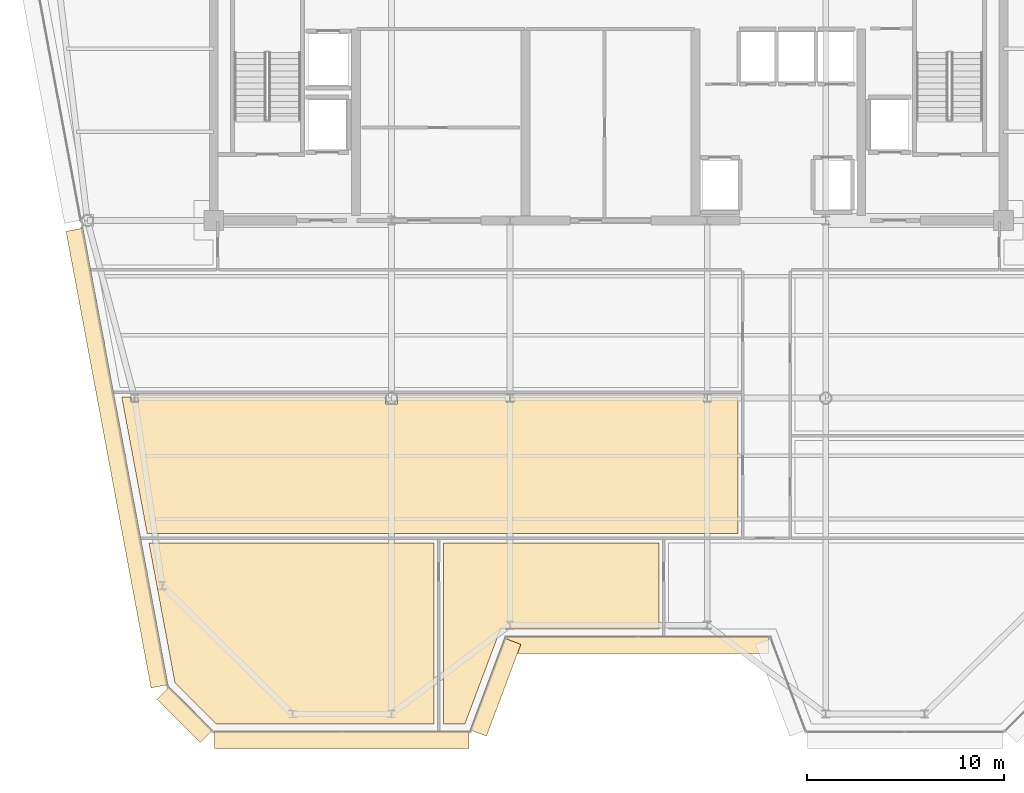
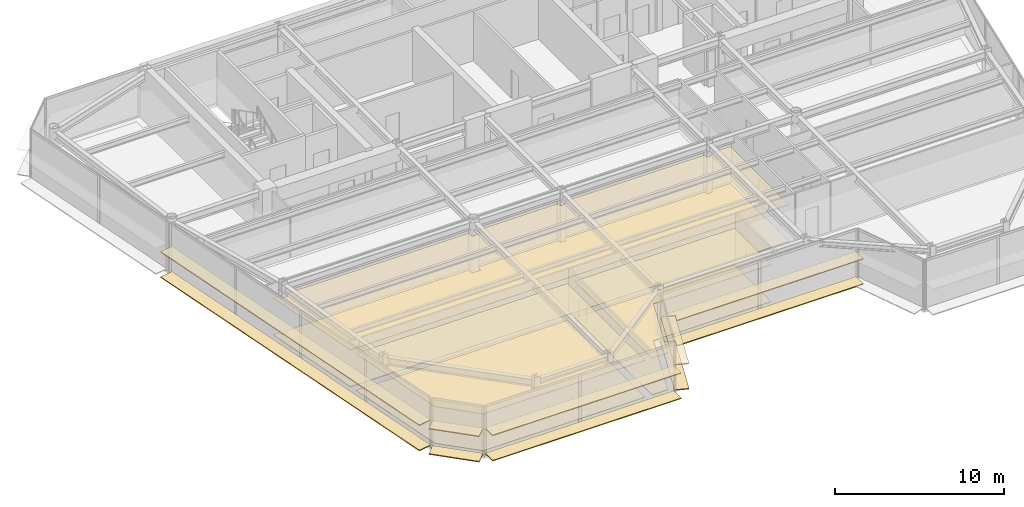
# One storey, part 12 of 18: 16 coverings.
"""IFC4 building model written with IfcOpenShell, lengths in metres."""

from ifc_helpers import new_model, si_unit, direction, frame, origin, origin_2d, place, context, subcontext, project, spatial, polyline, rectangle, outline, extrude, source, transform, mapped, material, layer, layer_set, type_object, element, save


model = new_model("IFC4")

# Units and contexts
model_context = context("Model", 3, precision=1e-05, world=origin(), true_north=direction((0.0, 1.0)))
body_context = subcontext(model_context, "Body", "Model", "MODEL_VIEW")
ifc_project = project(units=[si_unit("LENGTHUNIT", "METRE"), si_unit("AREAUNIT", "SQUARE_METRE"), si_unit("VOLUMEUNIT", "CUBIC_METRE"), si_unit("PLANEANGLEUNIT", "RADIAN"), si_unit("MASSUNIT", "GRAM", prefix="KILO")], contexts=[model_context])

# Site, building, storey
site_placement = place(None, origin())
site = spatial("IfcSite", under=ifc_project, at=site_placement, CompositionType="ELEMENT")
building_placement = place(site_placement, origin())
building = spatial("IfcBuilding", under=site, at=building_placement, Name="Vaeldorn Concourse Tower", CompositionType="ELEMENT")
storey_placement = place(building_placement, frame((0.0, 0.0, 253.60009765625)))
storey = spatial("IfcBuildingStorey", under=building, at=storey_placement, Name="L65", CompositionType="ELEMENT", Elevation=253.60009765625)

# Coverings
ifc_material_1 = material(Name="Acoustic Mineral Fibre Board", Category="gypsum")
ifc_layer_1 = layer(ifc_material_1, 0.0400390625)
ifc_layer_set_1 = layer_set([ifc_layer_1], Name="Acoustic Mineral Fibre Board")
covering_type_1 = type_object("IfcCoveringType", Name="COV-CEIL-ACOUSTIC", PredefinedType="CEILING", material=ifc_layer_set_1)
covering_1_placement = place(storey_placement, frame((0.0, 0.0, 2.64990234375)))
element("IfcCovering", 1, at=covering_1_placement, inside=storey, type_object=covering_type_1, Name="Suspended Acoustic Ceiling L65-5", PredefinedType="CEILING", context=body_context, shape_type="SweptSolid", body=[
    extrude(outline(polyline([(9.799560546875, 27.56005859375), (9.799560546875, 27.300537109375), (10.200439453125, 27.300537109375), (10.200439453125, 27.56005859375), (22.695068359375, 27.56005859375), (22.695068359375, 27.195068359375), (23.304931640625, 27.195068359375), (23.304931640625, 27.56005859375), (28.801025390625, 27.56005859375), (28.801025390625, 27.306396484375), (29.198974609375, 27.306396484375), (29.198974609375, 27.56005859375), (38.801025390625, 27.56005859375), (38.801025390625, 27.306396484375), (39.198974609375, 27.306396484375), (39.198974609375, 27.56005859375), (40.56005859375, 27.56005859375), (40.56005859375, 20.639892578125), (10.631591796875, 20.639892578125), (9.34326171875, 27.56005859375), (9.799560546875, 27.56005859375)])), origin(), (0.0, 0.0, 1.0), 0.0400390625),
])
covering_2_placement = place(storey_placement, frame((0.0, 0.0, 2.64990234375)))
element("IfcCovering", 2, at=covering_2_placement, inside=storey, type_object=covering_type_1, Name="Suspended Acoustic Ceiling L65-9", PredefinedType="CEILING", context=body_context, shape_type="SweptSolid", body=[
    extrude(outline(polyline([(25.159912109375, 20.159912109375), (25.159912109375, 11.0), (14.131591796875, 11.0), (12.03662109375, 13.09521484375), (11.24609375, 17.340087890625), (11.24609375, 17.340087890625), (10.720947265625, 20.159912109375), (25.159912109375, 20.159912109375)])), origin(), (0.0, 0.0, 1.0), 0.0400390625),
])
covering_3_placement = place(storey_placement, frame((0.0, 0.0, 2.64990234375)))
element("IfcCovering", 3, at=covering_3_placement, inside=storey, type_object=covering_type_1, Name="Suspended Acoustic Ceiling L65-10", PredefinedType="CEILING", context=body_context, shape_type="SweptSolid", body=[
    extrude(outline(polyline([(26.722900390625, 11.0), (25.639892578125, 11.0), (25.639892578125, 20.159912109375), (36.56005859375, 20.159912109375), (36.56005859375, 15.800048828125), (28.522705078125, 15.800048828125), (26.722900390625, 11.0)])), origin(), (0.0, 0.0, 1.0), 0.0400390625),
])
ifc_material_2 = material(Name="Honed Limestone Terrazzo Flooring", Category="masonry")
ifc_layer_2 = layer(ifc_material_2, 0.0400390625)
ifc_layer_set_2 = layer_set([ifc_layer_2], Name="Honed Limestone Terrazzo Flooring")
covering_type_2 = type_object("IfcCoveringType", Name="COV-FLOOR-STONE", PredefinedType="FLOORING", material=ifc_layer_set_2)
covering_4_placement = place(storey_placement, origin())
element("IfcCovering", 4, at=covering_4_placement, inside=storey, type_object=covering_type_2, Name="Floor Finish Covering L65-5", PredefinedType="FLOORING", context=body_context, shape_type="SweptSolid", body=[
    extrude(outline(polyline([(9.799560546875, 27.56005859375), (9.799560546875, 27.300537109375), (10.200439453125, 27.300537109375), (10.200439453125, 27.56005859375), (22.695068359375, 27.56005859375), (22.695068359375, 27.195068359375), (23.304931640625, 27.195068359375), (23.304931640625, 27.56005859375), (28.801025390625, 27.56005859375), (28.801025390625, 27.306396484375), (29.198974609375, 27.306396484375), (29.198974609375, 27.56005859375), (38.801025390625, 27.56005859375), (38.801025390625, 27.306396484375), (39.198974609375, 27.306396484375), (39.198974609375, 27.56005859375), (40.56005859375, 27.56005859375), (40.56005859375, 20.639892578125), (10.631591796875, 20.639892578125), (9.34326171875, 27.56005859375), (9.799560546875, 27.56005859375)])), origin(), (0.0, 0.0, 1.0), 0.02978515625),
])
covering_5_placement = place(storey_placement, origin())
element("IfcCovering", 5, at=covering_5_placement, inside=storey, type_object=covering_type_2, Name="Floor Finish Covering L65-9", PredefinedType="FLOORING", context=body_context, shape_type="SweptSolid", body=[
    extrude(outline(polyline([(25.159912109375, 20.159912109375), (25.159912109375, 11.0), (14.131591796875, 11.0), (12.03662109375, 13.09521484375), (11.24609375, 17.340087890625), (11.24609375, 17.340087890625), (10.720947265625, 20.159912109375), (25.159912109375, 20.159912109375)])), origin(), (0.0, 0.0, 1.0), 0.02978515625),
])
covering_6_placement = place(storey_placement, origin())
element("IfcCovering", 6, at=covering_6_placement, inside=storey, type_object=covering_type_2, Name="Floor Finish Covering L65-10", PredefinedType="FLOORING", context=body_context, shape_type="SweptSolid", body=[
    extrude(outline(polyline([(26.722900390625, 11.0), (25.639892578125, 11.0), (25.639892578125, 20.159912109375), (36.56005859375, 20.159912109375), (36.56005859375, 15.800048828125), (28.522705078125, 15.800048828125), (26.722900390625, 11.0)])), origin(), (0.0, 0.0, 1.0), 0.02978515625),
])
ifc_material_3 = material(Name="Anodised Bronze Aluminium", Category="aluminium")
ifc_layer_3 = layer(ifc_material_3, 0.06494140625)
ifc_layer_set_3 = layer_set([ifc_layer_3], Name="Anodised Bronze Aluminium")
covering_type_3 = type_object("IfcCoveringType", Name="SD-BRONZE-SUNSHADE", PredefinedType="USERDEFINED", material=ifc_layer_set_3)
shared_shape_1 = source(origin(), body_context, "Body", "SweptSolid", [
    extrude(rectangle(XDim=4.96630859375, YDim=0.8798828125, at=origin_2d()), origin(), (0.0, 0.0, 1.0), 0.06494140625),
])
for number, where, z_axis, x_axis, name in (
    (7, (28.2744140625, 12.859619140625, 0.04736328125), (0.0, 0.0, 1.0), (0.351122702609, 0.936329454686, 0.0), "Horizontal Bronze Sunshade L65-E02.1.1"),
    (8, (28.2744140625, 12.859619140625, 1.867431640625), (0.0, 0.0, 1.0), (0.351122702609, 0.936329454686, 0.0), "Horizontal Bronze Sunshade L65-E02.1.2"),
):
    element("IfcCovering", number, at=place(storey_placement, frame(where, z_axis=z_axis, x_axis=x_axis)), inside=storey, type_object=covering_type_3, Name=name, ObjectType="SUNSHADE", PredefinedType="USERDEFINED", context=body_context, shape_type="MappedRepresentation", body=[
        mapped(shared_shape_1, transform((0.0, 0.0, 0.0), scale=1.0)),
    ])
shared_shape_2 = source(origin(), body_context, "Body", "SweptSolid", [
    extrude(rectangle(XDim=13.239990234375, YDim=0.8798828125, at=origin_2d()), origin(), (0.0, 0.0, 1.0), 0.06494140625),
])
for number, where, z_axis, x_axis, name in (
    (9, (35.5, 15.0, 0.04736328125), (0.0, 0.0, 1.0), (1.0, 0.0, 0.0), "Horizontal Bronze Sunshade L65-E03.1.1"),
    (10, (35.5, 15.0, 1.867431640625), (0.0, 0.0, 1.0), (1.0, 0.0, 0.0), "Horizontal Bronze Sunshade L65-E03.1.2"),
):
    element("IfcCovering", number, at=place(storey_placement, frame(where, z_axis=z_axis, x_axis=x_axis)), inside=storey, type_object=covering_type_3, Name=name, ObjectType="SUNSHADE", PredefinedType="USERDEFINED", context=body_context, shape_type="MappedRepresentation", body=[
        mapped(shared_shape_2, transform((0.0, 0.0, 0.0), scale=1.0)),
    ])
shared_shape_3 = source(origin(), body_context, "Body", "SweptSolid", [
    extrude(rectangle(XDim=3.0927734375, YDim=0.8798828125, at=origin_2d()), origin(), (0.0, 0.0, 1.0), 0.06494140625),
])
for number, where, z_axis, x_axis, name in (
    (11, (12.533203125, 11.46728515625, 0.04736328125), (0.0, 0.0, 1.0), (0.707106781187, -0.707106781187, 0.0), "Horizontal Bronze Sunshade L65-E12.1.1"),
    (12, (12.533203125, 11.46728515625, 1.867431640625), (0.0, 0.0, 1.0), (0.707106781187, -0.707106781187, 0.0), "Horizontal Bronze Sunshade L65-E12.1.2"),
):
    element("IfcCovering", number, at=place(storey_placement, frame(where, z_axis=z_axis, x_axis=x_axis)), inside=storey, type_object=covering_type_3, Name=name, ObjectType="SUNSHADE", PredefinedType="USERDEFINED", context=body_context, shape_type="MappedRepresentation", body=[
        mapped(shared_shape_3, transform((0.0, 0.0, 0.0), scale=1.0)),
    ])
shared_shape_4 = source(origin(), body_context, "Body", "SweptSolid", [
    extrude(rectangle(XDim=23.525146484375, YDim=0.8798828125, at=origin_2d()), origin(), (0.0, 0.0, 1.0), 0.06494140625),
])
for number, where, z_axis, x_axis, name in (
    (13, (9.10498046875, 24.46923828125, 0.04736328125), (0.0, 0.0, 1.0), (0.183059191151, -0.983101893262, 0.0), "Horizontal Bronze Sunshade L65-E11.2.1"),
    (14, (9.10498046875, 24.46923828125, 1.867431640625), (0.0, 0.0, 1.0), (0.183059191151, -0.983101893262, 0.0), "Horizontal Bronze Sunshade L65-E11.2.2"),
):
    element("IfcCovering", number, at=place(storey_placement, frame(where, z_axis=z_axis, x_axis=x_axis)), inside=storey, type_object=covering_type_3, Name=name, ObjectType="SUNSHADE", PredefinedType="USERDEFINED", context=body_context, shape_type="MappedRepresentation", body=[
        mapped(shared_shape_4, transform((0.0, 0.0, 0.0), scale=1.0)),
    ])
shared_shape_5 = source(origin(), body_context, "Body", "SweptSolid", [
    extrude(rectangle(XDim=12.8740234375, YDim=0.8798828125, at=origin_2d()), origin(), (0.0, 0.0, 1.0), 0.06494140625),
])
for number, where, z_axis, x_axis, name in (
    (15, (20.48291015625, 10.199951171875, 0.04736328125), (0.0, 0.0, 1.0), (1.0, 0.0, 0.0), "Horizontal Bronze Sunshade L65-E01.1.1"),
    (16, (20.48291015625, 10.199951171875, 1.867431640625), (0.0, 0.0, 1.0), (1.0, 0.0, 0.0), "Horizontal Bronze Sunshade L65-E01.1.2"),
):
    element("IfcCovering", number, at=place(storey_placement, frame(where, z_axis=z_axis, x_axis=x_axis)), inside=storey, type_object=covering_type_3, Name=name, ObjectType="SUNSHADE", PredefinedType="USERDEFINED", context=body_context, shape_type="MappedRepresentation", body=[
        mapped(shared_shape_5, transform((0.0, 0.0, 0.0), scale=1.0)),
    ])

save(model, "model.ifc")
